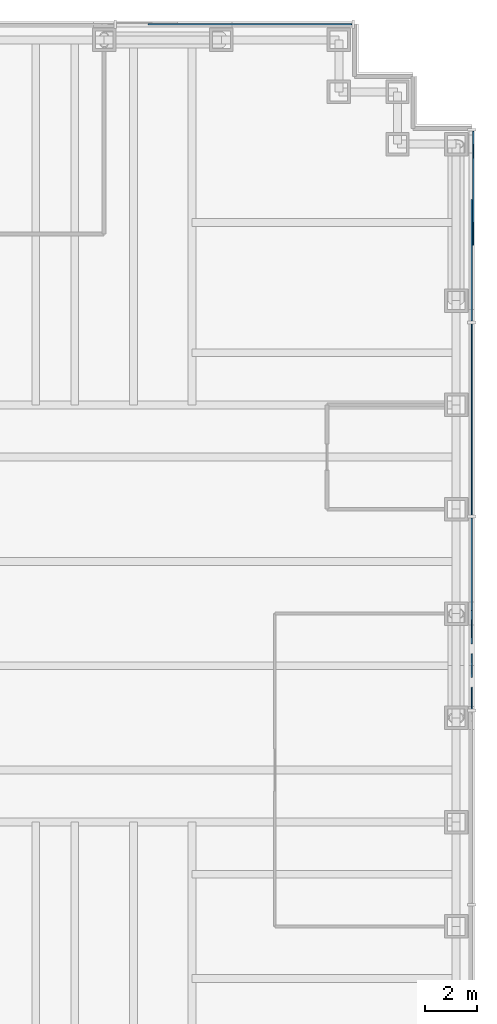
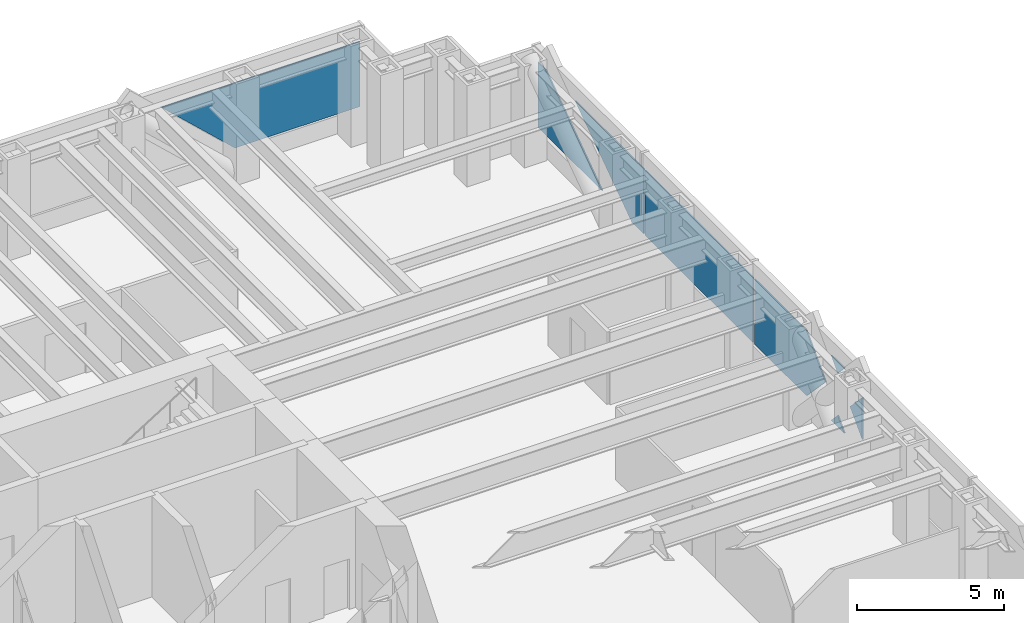
# One storey, part 8 of 14: 8 plates, 2 elements without a shape of their own.
"""IFC4 building model written with IfcOpenShell, lengths in metres."""

import ifcopenshell
import ifcopenshell.guid

model = None  # the IFC model being written
_history = None  # IfcOwnerHistory: only IFC2X3 demands one
_inside = {}  # id of a spatial element -> (the spatial element, [elements in it])
_under = {}  # id of a project, library or spatial element -> (it, [spatial elements below it])
_declared = {}  # id of a project -> (the project, [libraries it declares])
_typed = {}  # id of a type object -> (the type object, [elements of that type])
_made_of = {}  # id of a material, layer set ... -> (it, [elements and type objects made of it])


def new_model(schema):
    """Start an empty IFC model of exactly this schema.

    Asked for "IFC4X3", IfcOpenShell would pick the latest addendum, in which some entities
    have other attributes; the version numbers below select the first issue.
    IFC2X3 requires an IfcOwnerHistory on every rooted entity: one is made here for all.
    """
    global model, _history
    if schema == "IFC4X3":
        model = ifcopenshell.file(schema_version=(4, 3, 0, 0))
    else:
        model = ifcopenshell.file(schema=schema)
    _inside.clear()
    _under.clear()
    _declared.clear()
    _typed.clear()
    _made_of.clear()
    _history = None
    if model.schema == "IFC2X3":
        org = make("IfcOrganization", Name="unknown")
        user = make(
            "IfcPersonAndOrganization",
            ThePerson=make("IfcPerson", FamilyName="unknown"),
            TheOrganization=org,
        )
        app = make(
            "IfcApplication",
            ApplicationDeveloper=org,
            Version="unknown",
            ApplicationFullName="unknown",
            ApplicationIdentifier="unknown",
        )
        _history = make(
            "IfcOwnerHistory",
            OwningUser=user,
            OwningApplication=app,
            ChangeAction="ADDED",
            CreationDate=0,
        )
    return model


def make(cls, **values):
    """One entity of the class cls with the attributes given. An attribute that is None is left unset."""
    return model.create_entity(
        cls, **{name: value for name, value in values.items() if value is not None}
    )


def rooted(cls, **values):
    """An entity with a GlobalId (a new one), such as an element, a storey or a relation."""
    return make(cls, GlobalId=ifcopenshell.guid.new(), OwnerHistory=_history, **values)


def si_unit(unit_type, name, prefix=None):
    """IfcSIUnit, for example si_unit("LENGTHUNIT", "METRE", prefix="MILLI")."""
    return make("IfcSIUnit", UnitType=unit_type, Prefix=prefix, Name=name)


def assignment(units):
    """IfcUnitAssignment: the units of a project."""
    return None if units is None else make("IfcUnitAssignment", Units=units)


def point(xyz):
    """IfcCartesianPoint."""
    return None if xyz is None else make("IfcCartesianPoint", Coordinates=xyz)


def direction(xyz):
    """IfcDirection."""
    return None if xyz is None else make("IfcDirection", DirectionRatios=xyz)


def frame(location, z_axis=None, x_axis=None):
    """IfcAxis2Placement3D, a coordinate frame: its origin and axes. An axis left out is left unset."""
    return make(
        "IfcAxis2Placement3D",
        Location=point(location),
        Axis=direction(z_axis),
        RefDirection=direction(x_axis),
    )


def frame_2d(location, x_axis=None):
    """IfcAxis2Placement2D, a coordinate frame in the plane: its origin and x axis."""
    return make(
        "IfcAxis2Placement2D", Location=point(location), RefDirection=direction(x_axis)
    )


def origin():
    """The frame at (0, 0, 0) with its axes left unset."""
    return frame((0.0, 0.0, 0.0))


def origin_2d():
    """The frame at (0, 0) in the plane with its x axis left unset."""
    return frame_2d((0.0, 0.0))


def place(relative_to, where):
    """IfcLocalPlacement: puts the frame where relative to a parent placement (None: the world)."""
    return make(
        "IfcLocalPlacement", PlacementRelTo=relative_to, RelativePlacement=where
    )


def context(
    kind, dimensions, precision=None, world=None, true_north=None, identifier=None
):
    """IfcGeometricRepresentationContext, for example the 3D "Model" context."""
    return make(
        "IfcGeometricRepresentationContext",
        ContextIdentifier=identifier,
        ContextType=kind,
        CoordinateSpaceDimension=dimensions,
        Precision=precision,
        WorldCoordinateSystem=world,
        TrueNorth=true_north,
    )


def subcontext(parent, identifier, kind, view, scale=None):
    """IfcGeometricRepresentationSubContext, for example "Body" below "Model"."""
    return make(
        "IfcGeometricRepresentationSubContext",
        ContextIdentifier=identifier,
        ContextType=kind,
        ParentContext=parent,
        TargetScale=scale,
        TargetView=view,
    )


def project(units=None, contexts=None):
    """IfcProject with its units and contexts."""
    return rooted(
        "IfcProject",
        Name="project",
        RepresentationContexts=contexts,
        UnitsInContext=assignment(units),
    )


def spatial(cls, under=None, at=None, **own):
    """A site, building, storey or space (cls), placed at a placement, below another one or the project."""
    s = rooted(cls, ObjectPlacement=at, **own)
    if under is not None:
        _under.setdefault(under.id(), (under, []))[1].append(s)
    return s


def polyline(points):
    """IfcPolyline through the points."""
    return make("IfcPolyline", Points=[point(p) for p in points])


def profile(cls, at=None, kind="AREA", **sizes):
    """A parametric profile (cls). Its sizes go by their IFC names, for example OverallWidth=200.0."""
    return make(cls, ProfileType=kind, Position=at, **sizes)


def rectangle(**sizes):
    """IfcRectangleProfileDef."""
    return profile("IfcRectangleProfileDef", **sizes)


def outline(outer, holes=None, kind="AREA"):
    """IfcArbitraryClosedProfileDef: a profile drawn as a closed curve; with holes, ...WithVoids."""
    if holes is None:
        return make("IfcArbitraryClosedProfileDef", ProfileType=kind, OuterCurve=outer)
    return make(
        "IfcArbitraryProfileDefWithVoids",
        ProfileType=kind,
        OuterCurve=outer,
        InnerCurves=holes,
    )


def extrude(swept, where, along, depth):
    """IfcExtrudedAreaSolid: the profile swept, set in the frame where, extruded along a direction by depth."""
    return make(
        "IfcExtrudedAreaSolid",
        SweptArea=swept,
        Position=where,
        ExtrudedDirection=direction(along),
        Depth=depth,
    )


def shape(context_of_items, identifier, shape_type, items):
    """IfcShapeRepresentation: the items that make up one representation, for example the "Body"."""
    return make(
        "IfcShapeRepresentation",
        ContextOfItems=context_of_items,
        RepresentationIdentifier=identifier,
        RepresentationType=shape_type,
        Items=items,
    )


def material(Name=None, Category=None):
    """IfcMaterial."""
    return make("IfcMaterial", Name=Name, Category=Category)


def layer(
    of_material, thickness, ventilated=None, Name=None, Category=None, Priority=None
):
    """IfcMaterialLayer: one layer of a wall or slab, of a material (None: an air gap)."""
    return make(
        "IfcMaterialLayer",
        Material=of_material,
        LayerThickness=thickness,
        IsVentilated=ventilated,
        Name=Name,
        Category=Category,
        Priority=Priority,
    )


def layer_set(layers, Name=None):
    """IfcMaterialLayerSet."""
    return make("IfcMaterialLayerSet", MaterialLayers=layers, LayerSetName=Name)


def made_of(thing, what):
    """Note that an element or type object is made of a material, layer set ...; save() writes the relation."""
    if what is not None:
        _made_of.setdefault(what.id(), (what, []))[1].append(thing)
    return thing


def type_object(cls, material=None, **own):
    """A type object (cls), such as IfcWallType, which elements share."""
    return made_of(rooted(cls, **own), material)


def element(
    cls,
    number,
    at=None,
    inside=None,
    cuts=None,
    type_object=None,
    material=None,
    context=None,
    identifier="Body",
    shape_type=None,
    held_by="IfcProductDefinitionShape",
    body=None,
    shapes=None,
    **own,
):
    """One element of the class cls, such as IfcWall. Its Tag is "e" and its number.

    at: its placement. inside: the storey or other place that contains it. cuts: it is an
    opening in that element (IfcRelVoidsElement). A single representation is given by context,
    identifier, shape_type and body (its items); several are given by shapes. held_by: the class
    of the entity that holds the representations. save() writes the other relations.
    """
    e = rooted(cls, Tag="e%d" % number, ObjectPlacement=at, **own)
    if body is not None:
        shapes = [shape(context, identifier, shape_type, body)]
    if shapes is not None:
        e.Representation = make(held_by, Representations=shapes)
    if inside is not None:
        _inside.setdefault(inside.id(), (inside, []))[1].append(e)
    if cuts is not None:
        rooted(
            "IfcRelVoidsElement", RelatingBuildingElement=cuts, RelatedOpeningElement=e
        )
    if type_object is not None:
        _typed.setdefault(type_object.id(), (type_object, []))[1].append(e)
    return made_of(e, material)


def aggregate(whole, parts):
    """IfcRelAggregates: a whole, such as a stair, and the parts it consists of."""
    return rooted("IfcRelAggregates", RelatingObject=whole, RelatedObjects=parts)


def save(model, path):
    """Write the relations noted so far, then the file.

    IfcRelAggregates (storeys below a building ...), IfcRelContainedInSpatialStructure (elements
    in a storey), IfcRelDefinesByType, IfcRelAssociatesMaterial and IfcRelDeclares: one each for
    every whole, place, type object, material and project.
    """
    for whole, parts in _under.values():
        aggregate(whole, parts)
    for where, things in _inside.values():
        rooted(
            "IfcRelContainedInSpatialStructure",
            RelatedElements=things,
            RelatingStructure=where,
        )
    for kind, things in _typed.values():
        rooted("IfcRelDefinesByType", RelatedObjects=things, RelatingType=kind)
    for what, things in _made_of.values():
        rooted("IfcRelAssociatesMaterial", RelatedObjects=things, RelatingMaterial=what)
    for by, libraries in _declared.values():
        rooted("IfcRelDeclares", RelatingContext=by, RelatedDefinitions=libraries)
    model.write(path)


model = new_model("IFC4")

# Units and contexts
model_context = context("Model", 3, precision=1e-05, world=origin(), true_north=direction((0.0, 1.0)))
body_context = subcontext(model_context, "Body", "Model", "MODEL_VIEW")
ifc_project = project(units=[si_unit("LENGTHUNIT", "METRE"), si_unit("AREAUNIT", "SQUARE_METRE"), si_unit("VOLUMEUNIT", "CUBIC_METRE"), si_unit("PLANEANGLEUNIT", "RADIAN"), si_unit("MASSUNIT", "GRAM", prefix="KILO")], contexts=[model_context])

# Site, building, storey
site_placement = place(None, origin())
site = spatial("IfcSite", under=ifc_project, at=site_placement, CompositionType="ELEMENT")
building_placement = place(site_placement, origin())
building = spatial("IfcBuilding", under=site, at=building_placement, Name="Rheinbord Bourse Tower", CompositionType="ELEMENT")
storey_placement = place(building_placement, frame((0.0, 0.0, 100.5)))
storey = spatial("IfcBuildingStorey", under=building, at=storey_placement, Name="L21", CompositionType="ELEMENT", Elevation=100.5)

# Curtain wall, plates
ifc_material_1 = material(Name="Dark glass and black aluminium", Category="aluminium")
curtain_wall_type = type_object("IfcCurtainWallType", Name="CW6 DARK GLASS CURTAIN WALL", PredefinedType="USERDEFINED", material=ifc_material_1)
curtain_wall_1_placement = place(storey_placement, origin())
curtain_wall_1 = element("IfcCurtainWall", 1, at=curtain_wall_1_placement, inside=storey, type_object=curtain_wall_type, Name="Curtain wall CW6 E L21", ObjectType="UNITISED CURTAIN WALL", PredefinedType="USERDEFINED")
ifc_material_2 = material(Name="Dark tinted triple insulating glass", Category="glass")
ifc_layer = layer(ifc_material_2, 0.050048828125)
ifc_layer_set = layer_set([ifc_layer], Name="CW6 DARK GLASS PANEL")
plate_type = type_object("IfcPlateType", Name="CW6 DARK GLASS PANEL", PredefinedType="CURTAIN_PANEL", material=ifc_layer_set)
plate_1_placement = place(storey_placement, frame((72.60009765625, 31.43994140625, 0.75), z_axis=(0.0, 0.0, 1.0), x_axis=(0.0, 1.0, 0.0)))
plate_1 = element("IfcPlate", 2, at=plate_1_placement, type_object=plate_type, Name="CW6 panel 4.1", PredefinedType="CURTAIN_PANEL", context=body_context, shape_type="SweptSolid", body=[
    extrude(rectangle(XDim=7.340087890625, YDim=0.050048828125, at=origin_2d()), origin(), (0.0, 0.0, 1.0), 2.699951171875),
])
plate_2_placement = place(storey_placement, frame((72.625, 20.330078125, 2.97607421875), z_axis=(-1.0, 0.0, 0.0), x_axis=(0.0, 0.689957365392, -0.723850007903)))
plate_2 = element("IfcPlate", 3, at=plate_2_placement, type_object=plate_type, Name="CW6 glass facet 1", PredefinedType="CURTAIN_PANEL", context=body_context, shape_type="SweptSolid", body=[
    extrude(outline(polyline([(0.0, 0.0), (1.210205078125, 0.0), (1.26806640625, 1.208740234375), (0.0, 0.0)])), origin(), (0.0, 0.0, 1.0), 0.050048828125),
])
plate_3_placement = place(storey_placement, frame((72.625, 21.550048828125, 0.75), z_axis=(-1.0, 0.0, 0.0), x_axis=(0.0, 0.689309541441, 0.72446694616)))
plate_3 = element("IfcPlate", 4, at=plate_3_placement, type_object=plate_type, Name="CW6 glass facet 2", PredefinedType="CURTAIN_PANEL", context=body_context, shape_type="SweptSolid", body=[
    extrude(outline(polyline([(0.0, 0.0), (0.65283203125, 0.0), (0.620361328125, 0.65185546875), (0.0, 0.0)])), origin(), (0.0, 0.0, 1.0), 0.050048828125),
])
plate_4_placement = place(storey_placement, frame((72.625, 22.449951171875, 3.449951171875), z_axis=(-1.0, 0.0, 0.0), x_axis=(0.0, -0.689309541441, -0.72446694616)))
plate_4 = element("IfcPlate", 5, at=plate_4_placement, type_object=plate_type, Name="CW6 glass facet 3", PredefinedType="CURTAIN_PANEL", context=body_context, shape_type="SweptSolid", body=[
    extrude(outline(polyline([(0.0, 0.0), (0.65283203125, 0.0), (0.620361328125, 0.65185546875), (0.0, 0.0)])), origin(), (0.0, 0.0, 1.0), 0.050048828125),
])
plate_5_placement = place(storey_placement, frame((72.625, 27.669921875, 3.449951171875), z_axis=(-1.0, 0.0, 0.0), x_axis=(0.0, 0.0, -1.0)))
plate_5 = element("IfcPlate", 6, at=plate_5_placement, type_object=plate_type, Name="CW6 glass facet 4", PredefinedType="CURTAIN_PANEL", context=body_context, shape_type="SweptSolid", body=[
    extrude(outline(polyline([(0.0, 0.0), (2.699951171875, 0.0), (2.699951171875, 3.548828125), (1.349853515625, 4.8349609375), (0.0, 3.548828125), (0.0, 0.0)])), origin(), (0.0, 0.0, 1.0), 0.050048828125),
])
plate_6_placement = place(storey_placement, frame((72.625, 35.2099609375, 0.75), z_axis=(-1.0, 0.0, 0.0), x_axis=(0.0, 0.0, 1.0)))
plate_6 = element("IfcPlate", 7, at=plate_6_placement, type_object=plate_type, Name="CW6 glass facet 1", PredefinedType="CURTAIN_PANEL", context=body_context, shape_type="SweptSolid", body=[
    extrude(outline(polyline([(0.0, 0.0), (2.699951171875, 0.0), (2.699951171875, 4.6640625), (0.0, 0.80615234375), (0.0, 0.0)])), origin(), (0.0, 0.0, 1.0), 0.050048828125),
])
plate_7_placement = place(storey_placement, frame((72.68017578125, 42.5, 3.449951171875), z_axis=(-1.0, 0.0, 0.0), x_axis=(0.0, 0.0, -1.0)))
plate_7 = element("IfcPlate", 8, at=plate_7_placement, type_object=plate_type, Name="CW6 glass facet 2", PredefinedType="CURTAIN_PANEL", context=body_context, shape_type="SweptSolid", body=[
    extrude(outline(polyline([(0.0, 0.0), (2.699951171875, 0.0), (2.699951171875, 4.3740234375), (0.0, 0.51611328125), (0.0, 0.0)])), origin(), (0.0, 0.0, 1.0), 0.050048828125),
])
aggregate(curtain_wall_1, [plate_1, plate_2, plate_3, plate_4, plate_5, plate_6, plate_7])

# Curtain wall, plate
curtain_wall_2_placement = place(storey_placement, origin())
curtain_wall_2 = element("IfcCurtainWall", 9, at=curtain_wall_2_placement, inside=storey, type_object=curtain_wall_type, Name="Curtain wall CW6 N L21", ObjectType="UNITISED CURTAIN WALL", PredefinedType="USERDEFINED")
plate_8_placement = place(storey_placement, frame((68.0, 46.625, 0.75), z_axis=(0.0, -1.0, 0.0), x_axis=(0.0, 0.0, 1.0)))
plate_8 = element("IfcPlate", 10, at=plate_8_placement, type_object=plate_type, Name="CW6 glass facet 1", PredefinedType="CURTAIN_PANEL", context=body_context, shape_type="SweptSolid", body=[
    extrude(outline(polyline([(0.0, 0.0), (2.699951171875, 0.0), (2.699951171875, 7.81005859375), (0.0, 4.9169921875), (0.0, 0.0)])), origin(), (0.0, 0.0, 1.0), 0.050048828125),
])
aggregate(curtain_wall_2, [plate_8])

save(model, "model.ifc")
